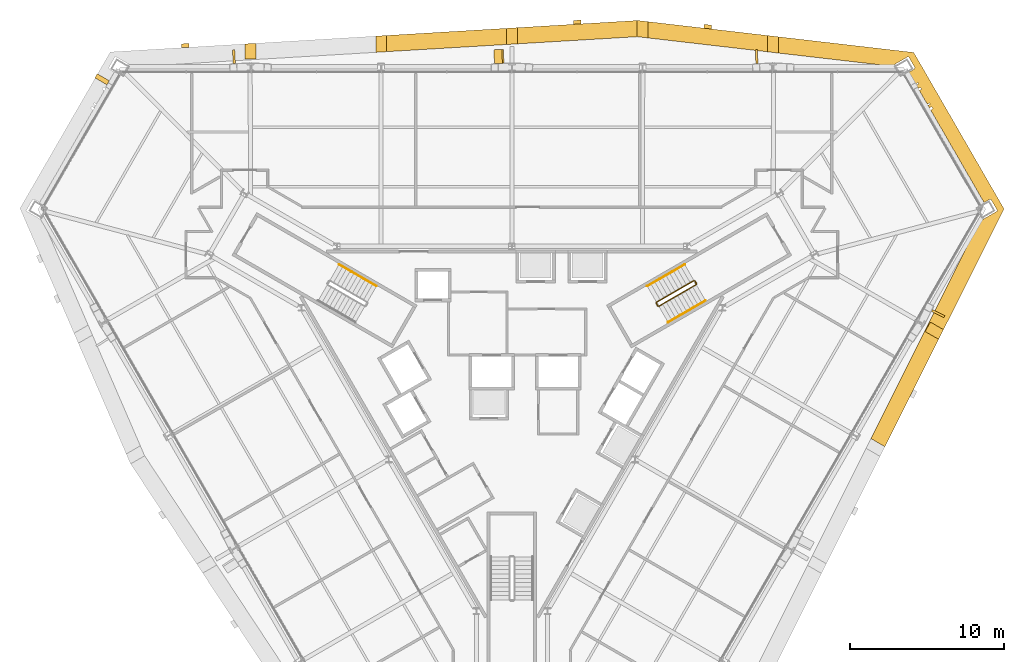
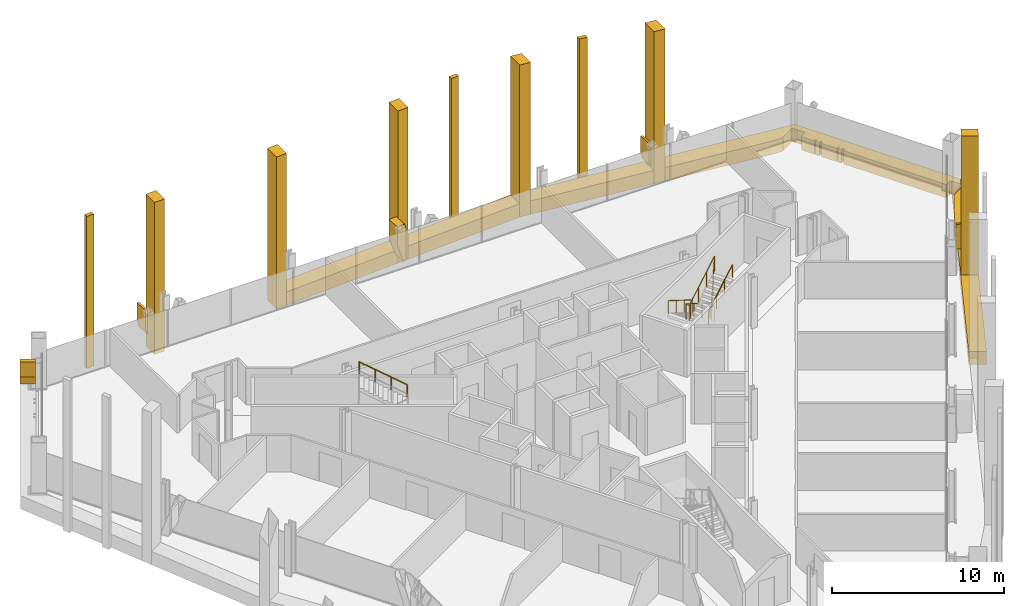
# One storey, part 15 of 16: 18 coverings, 4 railings.
"""IFC4 building model written with IfcOpenShell, lengths in metres."""

from ifc_helpers import new_model, si_unit, direction, frame, origin, origin_2d, place, context, subcontext, project, spatial, polyline, circle, outline, extrude, material, layer, layer_set, type_object, element, save


model = new_model("IFC4")

# Units and contexts
model_context = context("Model", 3, precision=1e-05, world=origin(), true_north=direction((0.0, 1.0)))
body_context = subcontext(model_context, "Body", "Model", "MODEL_VIEW")
ifc_project = project(units=[si_unit("LENGTHUNIT", "METRE"), si_unit("AREAUNIT", "SQUARE_METRE"), si_unit("VOLUMEUNIT", "CUBIC_METRE"), si_unit("PLANEANGLEUNIT", "RADIAN"), si_unit("MASSUNIT", "GRAM", prefix="KILO")], contexts=[model_context])

# Site, building, storey
site_placement = place(None, origin())
site = spatial("IfcSite", under=ifc_project, at=site_placement, CompositionType="ELEMENT")
building_placement = place(site_placement, origin())
building = spatial("IfcBuilding", under=site, at=building_placement, Name="Verrane Prism Tower", CompositionType="ELEMENT")
storey_placement = place(building_placement, frame((0.0, 0.0, 36.800048828125)))
storey = spatial("IfcBuildingStorey", under=building, at=storey_placement, Name="L06", CompositionType="ELEMENT", Elevation=36.800048828125)

# Railings
ifc_material_1 = material(Name="Steel A36 rail and posts, no infill", Category="steel")
railing_type_1 = type_object("IfcRailingType", Name="Stair guard 1100 steel rail and posts", PredefinedType="GUARDRAIL", material=ifc_material_1)
railing_1_placement = place(storey_placement, frame((11.78955078125, 6.97998046875, 0.16357421875)))
element("IfcRailing", 1, at=railing_1_placement, inside=storey, type_object=railing_type_1, Name="Stair 1 guard", PredefinedType="GUARDRAIL", context=body_context, shape_type="SweptSolid", body=[
    extrude(circle(Radius=0.02392578125, at=origin_2d()), frame((0.0, 0.0, 1.076171875), z_axis=(-0.747665513933, -0.431721881032, 0.504591415616), x_axis=(0.500049511043, -0.865996816683, 0.0)), (0.0, 0.0, 1.0), 3.2431640625),
    extrude(circle(Radius=0.02392578125, at=origin_2d()), frame((-2.4248046875, -1.400146484375, 2.71240234375), z_axis=(-0.259601060869, -0.965715946433, 0.0), x_axis=(0.965715946433, -0.259601060869, 0.0)), (0.0, 0.0, 1.0), 0.070556640625),
    extrude(circle(Radius=0.02392578125, at=origin_2d()), frame((-2.443115234375, -1.46826171875, 2.71240234375), z_axis=(0.499158860599, -0.866510491504, 0.0), x_axis=(0.866510491504, 0.499158860599, 0.0)), (0.0, 0.0, 1.0), 0.199951171875),
    extrude(circle(Radius=0.02392578125, at=origin_2d()), frame((-2.34326171875, -1.6416015625, 2.71240234375), z_axis=(0.383552647116, -0.102737316192, 0.917786691313), x_axis=(0.258736085224, 0.965948051503, 0.0)), (0.0, 0.0, 1.0), 0.17822265625),
    extrude(circle(Radius=0.02392578125, at=origin_2d()), frame((-2.27490234375, -1.659912109375, 2.8759765625), z_axis=(0.747693913401, 0.431738279637, 0.504535300807), x_axis=(-0.500049511043, 0.865996816683, 0.0)), (0.0, 0.0, 1.0), 3.2431640625),
    extrude(circle(Radius=0.02392578125, at=origin_2d()), frame((0.14990234375, -0.259765625, 4.51220703125), z_axis=(-0.022595193939, 0.066906128161, -0.9975033971), x_axis=(-0.947430582667, -0.3199613899, 0.0)), (0.0, 0.0, 1.0), 3.60888671875),
    extrude(circle(Radius=0.02392578125, at=origin_2d()), frame((0.068359375, -0.018310546875, 0.91259765625), z_axis=(0.499158860599, -0.866510491504, 0.0), x_axis=(0.866510491504, 0.499158860599, 0.0)), (0.0, 0.0, 1.0), 0.199951171875),
    extrude(circle(Radius=0.02099609375, at=origin_2d()), origin(), (0.0, 0.0, 1.0), 1.052001953125),
    extrude(circle(Radius=0.02099609375, at=origin_2d()), frame((-0.808349609375, -0.466796875, 0.54541015625)), (0.0, 0.0, 1.0), 1.052001953125),
    extrude(circle(Radius=0.02099609375, at=origin_2d()), frame((-1.616455078125, -0.933349609375, 1.091064453125)), (0.0, 0.0, 1.0), 1.052001953125),
    extrude(circle(Radius=0.02099609375, at=origin_2d()), frame((-2.4248046875, -1.400146484375, 1.636474609375)), (0.0, 0.0, 1.0), 1.052001953125),
    extrude(circle(Radius=0.02099609375, at=origin_2d()), frame((-2.443115234375, -1.46826171875, 1.636474609375)), (0.0, 0.0, 1.0), 1.052001953125),
    extrude(circle(Radius=0.02099609375, at=origin_2d()), frame((-2.34326171875, -1.6416015625, 1.636474609375)), (0.0, 0.0, 1.0), 1.052001953125),
    extrude(circle(Radius=0.02099609375, at=origin_2d()), frame((-2.27490234375, -1.659912109375, 1.800048828125)), (0.0, 0.0, 1.0), 1.052001953125),
    extrude(circle(Radius=0.02099609375, at=origin_2d()), frame((-1.466552734375, -1.193115234375, 2.345458984375)), (0.0, 0.0, 1.0), 1.052001953125),
    extrude(circle(Radius=0.02099609375, at=origin_2d()), frame((-0.658447265625, -0.7265625, 2.890869140625)), (0.0, 0.0, 1.0), 1.052001953125),
    extrude(circle(Radius=0.02099609375, at=origin_2d()), frame((0.14990234375, -0.259765625, 3.436279296875)), (0.0, 0.0, 1.0), 1.052001953125),
    extrude(circle(Radius=0.02099609375, at=origin_2d()), frame((0.12939453125, -0.199462890625, 2.536376953125)), (0.0, 0.0, 1.0), 1.052001953125),
    extrude(circle(Radius=0.02099609375, at=origin_2d()), frame((0.109130859375, -0.13916015625, 1.63623046875)), (0.0, 0.0, 1.0), 1.052001953125),
    extrude(circle(Radius=0.02099609375, at=origin_2d()), frame((0.0888671875, -0.07861328125, 0.736328125)), (0.0, 0.0, 1.0), 1.052001953125),
    extrude(circle(Radius=0.02099609375, at=origin_2d()), frame((0.068359375, -0.018310546875, -0.16357421875)), (0.0, 0.0, 1.0), 1.052001953125),
    extrude(circle(Radius=0.02099609375, at=origin_2d()), frame((0.168212890625, -0.191650390625, -0.16357421875)), (0.0, 0.0, 1.0), 1.052001953125),
])
ifc_material_2 = material(Name="Steel A36 tube", Category="steel")
railing_type_2 = type_object("IfcRailingType", Name="Stair handrail 900 steel tube", PredefinedType="HANDRAIL", material=ifc_material_2)
railing_2_placement = place(storey_placement, frame((11.189453125, 8.01904296875, 0.16357421875)))
element("IfcRailing", 2, at=railing_2_placement, inside=storey, type_object=railing_type_2, Name="Stair 1 handrail", PredefinedType="HANDRAIL", context=body_context, shape_type="SweptSolid", body=[
    extrude(circle(Radius=0.02392578125, at=origin_2d()), frame((0.0, 0.0, 0.8759765625), z_axis=(-0.747689811644, -0.431660630283, 0.504607813879), x_axis=(0.49998411664, -0.866034573852, 0.0)), (0.0, 0.0, 1.0), 3.2431640625),
    extrude(circle(Radius=0.02099609375, at=origin_2d()), origin(), (0.0, 0.0, 1.0), 0.851806640625),
    extrude(circle(Radius=0.02099609375, at=origin_2d()), frame((-0.808349609375, -0.466552734375, 0.54541015625)), (0.0, 0.0, 1.0), 0.851806640625),
    extrude(circle(Radius=0.02099609375, at=origin_2d()), frame((-1.616455078125, -0.933349609375, 1.091064453125)), (0.0, 0.0, 1.0), 0.851806640625),
    extrude(circle(Radius=0.02099609375, at=origin_2d()), frame((-2.4248046875, -1.39990234375, 1.636474609375)), (0.0, 0.0, 1.0), 0.851806640625),
])
railing_3_placement = place(storey_placement, frame((10.11474609375, 4.28076171875, 1.963623046875)))
element("IfcRailing", 3, at=railing_3_placement, inside=storey, type_object=railing_type_2, Name="Stair 1 handrail", PredefinedType="HANDRAIL", context=body_context, shape_type="SweptSolid", body=[
    extrude(circle(Radius=0.02392578125, at=origin_2d()), frame((0.0, 0.0, 0.8759765625), z_axis=(0.747693913401, 0.431738279637, 0.504535300807), x_axis=(-0.500049511043, 0.865996816683, 0.0)), (0.0, 0.0, 1.0), 3.2431640625),
    extrude(circle(Radius=0.02099609375, at=origin_2d()), origin(), (0.0, 0.0, 1.0), 0.851806640625),
    extrude(circle(Radius=0.02099609375, at=origin_2d()), frame((0.808349609375, 0.466796875, 0.54541015625)), (0.0, 0.0, 1.0), 0.851806640625),
    extrude(circle(Radius=0.02099609375, at=origin_2d()), frame((1.616455078125, 0.933349609375, 1.0908203125)), (0.0, 0.0, 1.0), 0.851806640625),
    extrude(circle(Radius=0.02099609375, at=origin_2d()), frame((2.4248046875, 1.400146484375, 1.63623046875)), (0.0, 0.0, 1.0), 0.851806640625),
])
railing_4_placement = place(storey_placement, frame((-8.7646484375, 6.619140625, 1.963623046875)))
element("IfcRailing", 4, at=railing_4_placement, inside=storey, type_object=railing_type_2, Name="Stair 2 handrail", PredefinedType="HANDRAIL", context=body_context, shape_type="SweptSolid", body=[
    extrude(circle(Radius=0.02392578125, at=origin_2d()), frame((0.0, 0.0, 0.8759765625), z_axis=(-0.74771821388, 0.431677027627, 0.504551698492), x_axis=(-0.49998411664, -0.866034573852, 0.0)), (0.0, 0.0, 1.0), 3.242919921875),
    extrude(circle(Radius=0.02099609375, at=origin_2d()), origin(), (0.0, 0.0, 1.0), 0.851806640625),
    extrude(circle(Radius=0.02099609375, at=origin_2d()), frame((-0.808349609375, 0.466552734375, 0.54541015625)), (0.0, 0.0, 1.0), 0.851806640625),
    extrude(circle(Radius=0.02099609375, at=origin_2d()), frame((-1.616455078125, 0.933349609375, 1.0908203125)), (0.0, 0.0, 1.0), 0.851806640625),
    extrude(circle(Radius=0.02099609375, at=origin_2d()), frame((-2.4248046875, 1.39990234375, 1.63623046875)), (0.0, 0.0, 1.0), 0.851806640625),
])

# Coverings
ifc_material_3 = material(Name="Warm limestone cladding", Category="masonry")
ifc_layer_1 = layer(ifc_material_3, 0.89990234375)
ifc_layer_set_1 = layer_set([ifc_layer_1], Name="Stone brace fin 900")
covering_type_1 = type_object("IfcCoveringType", Name="Stone brace fin 900", PredefinedType="CLADDING", material=ifc_layer_set_1)
covering_1_placement = place(storey_placement, frame((15.912841796875, 21.47998046875, 0.98291015625), z_axis=(0.0, 0.0, 1.0), x_axis=(-0.998725219316, -0.050477086897, 0.0)))
element("IfcCovering", 5, at=covering_1_placement, inside=storey, type_object=covering_type_1, Name="Stone brace fin N2 L06", PredefinedType="CLADDING", context=body_context, shape_type="SweptSolid", body=[
    extrude(outline(polyline([(0.135498046875, 1.6669921875), (0.0, 1.6669921875), (0.0, 0.0), (0.135498046875, 0.39501953125), (0.135498046875, 1.6669921875)])), frame((0.0, 0.449951171875, 0.0), z_axis=(0.0, -1.0, 0.0), x_axis=(1.0, 0.0, 0.0)), (0.0, 0.0, 1.0), 0.89990234375),
])
covering_2_placement = place(storey_placement, frame((-0.531494140625, 21.50439453125, 0.0), z_axis=(0.0, 0.0, 1.0), x_axis=(-0.998705324519, -0.050869192813, 0.0)))
element("IfcCovering", 6, at=covering_2_placement, inside=storey, type_object=covering_type_1, Name="Stone brace fin N4 L06", PredefinedType="CLADDING", context=body_context, shape_type="SweptSolid", body=[
    extrude(outline(polyline([(0.6142578125, 2.64990234375), (0.1005859375, 2.64990234375), (0.0, 2.3505859375), (0.0, 0.0), (0.1591796875, 0.0), (0.6142578125, 1.353271484375), (0.6142578125, 2.64990234375)])), frame((0.0, 0.449951171875, 0.0), z_axis=(0.0, -1.0, 0.0), x_axis=(1.0, 0.0, 0.0)), (0.0, 0.0, 1.0), 0.89990234375),
])
covering_3_placement = place(storey_placement, frame((-17.92041015625, 21.480712890625, 0.88134765625), z_axis=(0.0, 0.0, 1.0), x_axis=(-0.998576072298, -0.053346301024, 0.0)))
element("IfcCovering", 7, at=covering_3_placement, inside=storey, type_object=covering_type_1, Name="Stone brace fin N6 L06", PredefinedType="CLADDING", context=body_context, shape_type="SweptSolid", body=[
    extrude(outline(polyline([(0.146240234375, 1.7685546875), (0.0, 1.7685546875), (0.0, 0.0), (0.146240234375, 0.444580078125), (0.146240234375, 1.7685546875)])), frame((0.0, 0.449951171875, 0.0), z_axis=(0.0, -1.0, 0.0), x_axis=(1.0, 0.0, 0.0)), (0.0, 0.0, 1.0), 0.89990234375),
])
covering_4_placement = place(storey_placement, frame((27.5654296875, 4.78173828125, 0.8818359375), z_axis=(0.0, 0.0, 1.0), x_axis=(0.45254937026, 0.891739349517, 0.0)))
element("IfcCovering", 8, at=covering_4_placement, inside=storey, type_object=covering_type_1, Name="Stone brace fin SE6 L06", PredefinedType="CLADDING", context=body_context, shape_type="SweptSolid", body=[
    extrude(outline(polyline([(0.146240234375, 1.76806640625), (0.0, 1.76806640625), (0.0, 0.0), (0.146240234375, 0.444580078125), (0.146240234375, 1.76806640625)])), frame((0.0, 0.449951171875, 0.0), z_axis=(0.0, -1.0, 0.0), x_axis=(1.0, 0.0, 0.0)), (0.0, 0.0, 1.0), 0.89990234375),
])
covering_5_placement = place(storey_placement, frame((-26.456787109375, 20.1435546875, 0.87744140625), z_axis=(0.0, 0.0, 1.0), x_axis=(-0.499606182467, -0.866252655084, 0.0)))
element("IfcCovering", 9, at=covering_5_placement, inside=storey, type_object=covering_type_1, Name="Stone brace fin NW1 L06", PredefinedType="CLADDING", context=body_context, shape_type="SweptSolid", body=[
    extrude(outline(polyline([(0.302734375, 1.7724609375), (0.0, 1.7724609375), (0.0, 0.0), (0.302734375, 0.719970703125), (0.302734375, 1.7724609375)])), frame((0.0, 0.449951171875, 0.0), z_axis=(0.0, -1.0, 0.0), x_axis=(1.0, 0.0, 0.0)), (0.0, 0.0, 1.0), 0.89990234375),
])
ifc_material_4 = material(Name="Warm limestone cladding", Category="masonry")
covering_type_2 = type_object("IfcCoveringType", Name="Stone mullion pier 500", PredefinedType="CLADDING", material=ifc_material_4)
covering_6_placement = place(storey_placement, frame((0.0, 0.0, -0.949951171875)))
element("IfcCovering", 10, at=covering_6_placement, inside=storey, type_object=covering_type_2, Name="Stone pier SM-N1.1 L06-L08", PredefinedType="CLADDING", context=body_context, shape_type="SweptSolid", body=[
    extrude(outline(polyline([(12.4375, 23.322998046875), (12.9375, 23.264892578125), (12.9375, 23.5166015625), (12.4375, 23.57470703125), (12.4375, 23.322998046875)])), origin(), (0.0, 0.0, 1.0), 10.7998046875),
])
covering_7_placement = place(storey_placement, frame((0.0, 0.0, -0.949951171875)))
element("IfcCovering", 11, at=covering_7_placement, inside=storey, type_object=covering_type_2, Name="Stone pier SM-N2.1 L06-L08", PredefinedType="CLADDING", context=body_context, shape_type="SweptSolid", body=[
    extrude(outline(polyline([(3.97900390625, 23.571044921875), (4.47900390625, 23.600830078125), (4.47900390625, 23.851318359375), (3.97900390625, 23.821533203125), (3.97900390625, 23.571044921875)])), origin(), (0.0, 0.0, 1.0), 10.7998046875),
])
covering_8_placement = place(storey_placement, frame((0.0, 0.0, -0.949951171875)))
element("IfcCovering", 12, at=covering_8_placement, inside=storey, type_object=covering_type_2, Name="Stone pier SM-N5.1 L06-L08", PredefinedType="CLADDING", context=body_context, shape_type="SweptSolid", body=[
    extrude(outline(polyline([(-21.3955078125, 22.055908203125), (-20.8955078125, 22.085693359375), (-20.8955078125, 22.336181640625), (-21.3955078125, 22.306396484375), (-21.3955078125, 22.055908203125)])), origin(), (0.0, 0.0, 1.0), 10.7998046875),
])
ifc_material_5 = material(Name="Warm limestone cladding", Category="masonry")
covering_type_3 = type_object("IfcCoveringType", Name="Stone pier 700", PredefinedType="CLADDING", material=ifc_material_5)
covering_9_placement = place(storey_placement, frame((0.0, 0.0, -0.949951171875)))
element("IfcCovering", 13, at=covering_9_placement, inside=storey, type_object=covering_type_3, Name="Stone pier PC-N1 L06-L08", PredefinedType="CLADDING", context=body_context, shape_type="SweptSolid", body=[
    extrude(outline(polyline([(16.56640625, 22.844482421875), (16.56640625, 21.791015625), (17.2666015625, 21.709716796875), (17.2666015625, 22.76318359375), (16.56640625, 22.844482421875)])), origin(), (0.0, 0.0, 1.0), 10.7998046875),
])
covering_10_placement = place(storey_placement, frame((0.0, 0.0, -0.949951171875)))
element("IfcCovering", 14, at=covering_10_placement, inside=storey, type_object=covering_type_3, Name="Stone pier PC-N2 L06-L08", PredefinedType="CLADDING", context=body_context, shape_type="SweptSolid", body=[
    extrude(outline(polyline([(8.108154296875, 23.817626953125), (8.108154296875, 22.769287109375), (8.119873046875, 22.77001953125), (8.80810546875, 22.690185546875), (8.80810546875, 23.74365234375), (8.149169921875, 23.820068359375), (8.108154296875, 23.817626953125)])), origin(), (0.0, 0.0, 1.0), 10.7998046875),
])
covering_11_placement = place(storey_placement, frame((0.0, 0.0, -0.949951171875)))
element("IfcCovering", 15, at=covering_11_placement, inside=storey, type_object=covering_type_3, Name="Stone pier PC-N3 L06-L08", PredefinedType="CLADDING", context=body_context, shape_type="SweptSolid", body=[
    extrude(outline(polyline([(-0.35009765625, 23.3125), (-0.35009765625, 22.264404296875), (0.35009765625, 22.30615234375), (0.35009765625, 23.354248046875), (-0.35009765625, 23.3125)])), origin(), (0.0, 0.0, 1.0), 10.7998046875),
])
covering_12_placement = place(storey_placement, frame((0.0, 0.0, -0.949951171875)))
element("IfcCovering", 16, at=covering_12_placement, inside=storey, type_object=covering_type_3, Name="Stone pier PC-N4 L06-L08", PredefinedType="CLADDING", context=body_context, shape_type="SweptSolid", body=[
    extrude(outline(polyline([(-8.80810546875, 22.8076171875), (-8.80810546875, 21.75927734375), (-8.108154296875, 21.801025390625), (-8.108154296875, 22.849365234375), (-8.80810546875, 22.8076171875)])), origin(), (0.0, 0.0, 1.0), 10.7998046875),
])
covering_13_placement = place(storey_placement, frame((0.0, 0.0, -0.949951171875)))
element("IfcCovering", 17, at=covering_13_placement, inside=storey, type_object=covering_type_3, Name="Stone pier PC-N5 L06-L08", PredefinedType="CLADDING", context=body_context, shape_type="SweptSolid", body=[
    extrude(outline(polyline([(-17.2666015625, 21.331298828125), (-16.56640625, 21.331298828125), (-16.56640625, 22.34423828125), (-17.2666015625, 22.302490234375), (-17.2666015625, 21.331298828125)])), origin(), (0.0, 0.0, 1.0), 10.7998046875),
])
covering_14_placement = place(storey_placement, frame((0.0, 0.0, -0.949951171875)))
element("IfcCovering", 18, at=covering_14_placement, inside=storey, type_object=covering_type_3, Name="Stone pier PC-SE5 L06-L08", PredefinedType="CLADDING", context=body_context, shape_type="SweptSolid", body=[
    extrude(outline(polyline([(27.10107421875, 4.290771484375), (26.751220703125, 3.6845703125), (27.6337890625, 3.1748046875), (27.94775390625, 3.802001953125), (27.10107421875, 4.290771484375)])), origin(), (0.0, 0.0, 1.0), 10.7998046875),
])
ifc_material_6 = material(Name="Warm limestone cladding", Category="masonry")
ifc_layer_2 = layer(ifc_material_6, 0.449951171875)
ifc_layer_set_2 = layer_set([ifc_layer_2], Name="Stone spandrel band 450")
covering_type_4 = type_object("IfcCoveringType", Name="Stone spandrel band 450", PredefinedType="CLADDING", material=ifc_layer_set_2)
covering_15_placement = place(storey_placement, frame((0.0, 0.0, -0.949951171875)))
element("IfcCovering", 19, at=covering_15_placement, inside=storey, type_object=covering_type_4, Name="Stone spandrel band L06 part 2", PredefinedType="CLADDING", context=body_context, shape_type="SweptSolid", body=[
    extrude(outline(polyline([(17.2666015625, 22.76318359375), (17.2666015625, 21.709716796875), (24.22412109375, 20.9033203125), (24.72705078125, 20.9033203125), (24.779296875, 20.97265625), (25.676513671875, 21.49072265625), (26.101318359375, 20.7548828125), (26.026123046875, 20.654541015625), (25.703125, 20.468017578125), (26.1396484375, 19.7119140625), (26.280517578125, 19.793212890625), (26.32421875, 19.71728515625), (26.183349609375, 19.635986328125), (26.308837890625, 19.418701171875), (26.44970703125, 19.5), (26.522216796875, 19.374267578125), (26.381591796875, 19.29296875), (26.896728515625, 18.400390625), (27.03759765625, 18.481689453125), (27.081298828125, 18.406005859375), (26.9404296875, 18.32470703125), (27.04833984375, 18.137939453125), (27.162841796875, 18.24755859375), (27.2646484375, 18.14111328125), (27.1240234375, 18.006591796875), (30.574951171875, 12.029541015625), (30.898193359375, 12.216064453125), (31.0234375, 12.228515625), (31.4482421875, 11.492919921875), (30.550537109375, 10.974853515625), (30.46875, 10.966552734375), (29.673583984375, 9.58935546875), (23.248046875, -3.25146484375), (24.156005859375, -3.775634765625), (27.6337890625, 3.1748046875), (26.751220703125, 3.6845703125), (27.10107421875, 4.290771484375), (27.94775390625, 3.802001953125), (31.862548828125, 11.62548828125), (26.017822265625, 21.748779296875), (17.2666015625, 22.76318359375)])), origin(), (0.0, 0.0, 1.0), 0.949951171875),
])
covering_16_placement = place(storey_placement, frame((0.0, 0.0, -0.949951171875)))
element("IfcCovering", 20, at=covering_16_placement, inside=storey, type_object=covering_type_4, Name="Stone spandrel band L06 part 6", PredefinedType="CLADDING", context=body_context, shape_type="SweptSolid", body=[
    extrude(outline(polyline([(8.80810546875, 22.690185546875), (16.56640625, 21.791015625), (16.56640625, 22.844482421875), (8.80810546875, 23.74365234375), (8.80810546875, 22.690185546875)])), origin(), (0.0, 0.0, 1.0), 0.949951171875),
])
covering_17_placement = place(storey_placement, frame((0.0, 0.0, -0.949951171875)))
element("IfcCovering", 21, at=covering_17_placement, inside=storey, type_object=covering_type_4, Name="Stone spandrel band L06 part 11", PredefinedType="CLADDING", context=body_context, shape_type="SweptSolid", body=[
    extrude(outline(polyline([(0.35009765625, 22.30615234375), (8.108154296875, 22.769287109375), (8.108154296875, 23.817626953125), (0.35009765625, 23.354248046875), (0.35009765625, 22.30615234375)])), origin(), (0.0, 0.0, 1.0), 0.949951171875),
])
covering_18_placement = place(storey_placement, frame((0.0, 0.0, -0.949951171875)))
element("IfcCovering", 22, at=covering_18_placement, inside=storey, type_object=covering_type_4, Name="Stone spandrel band L06 part 12", PredefinedType="CLADDING", context=body_context, shape_type="SweptSolid", body=[
    extrude(outline(polyline([(-8.108154296875, 22.849365234375), (-8.108154296875, 21.801025390625), (-0.35009765625, 22.264404296875), (-0.35009765625, 23.3125), (-8.108154296875, 22.849365234375)])), origin(), (0.0, 0.0, 1.0), 0.949951171875),
])

save(model, "model.ifc")
